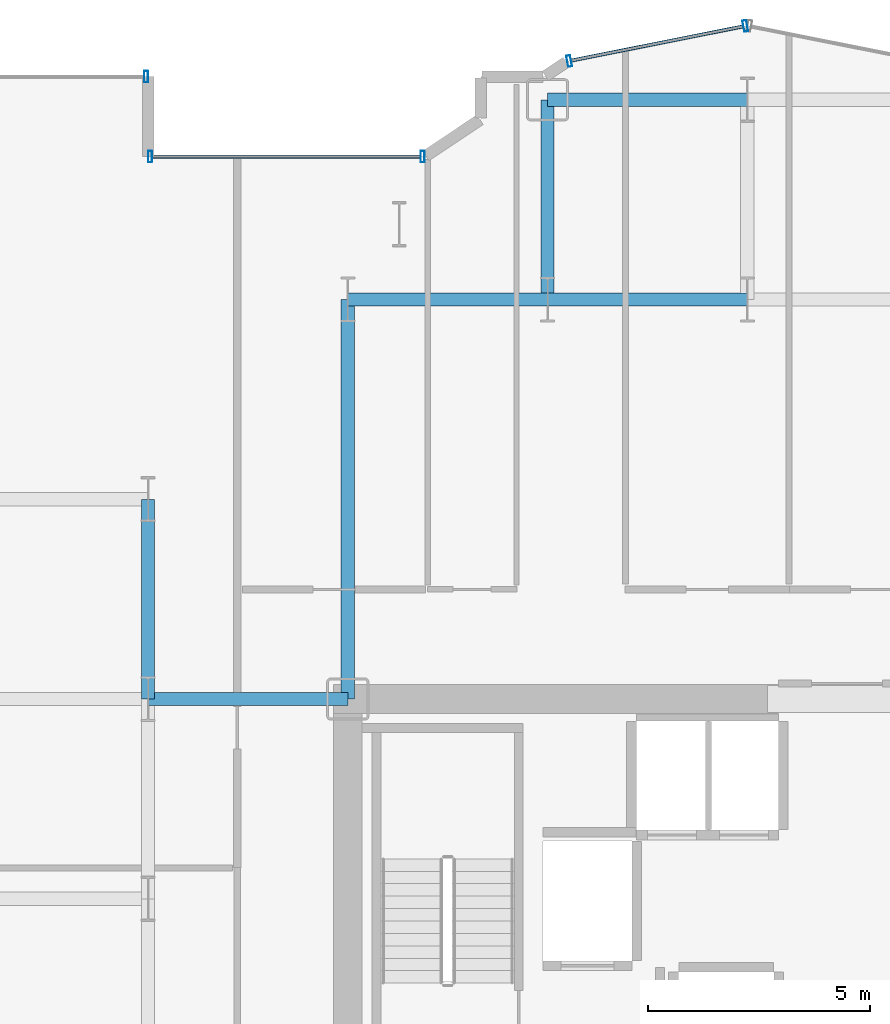
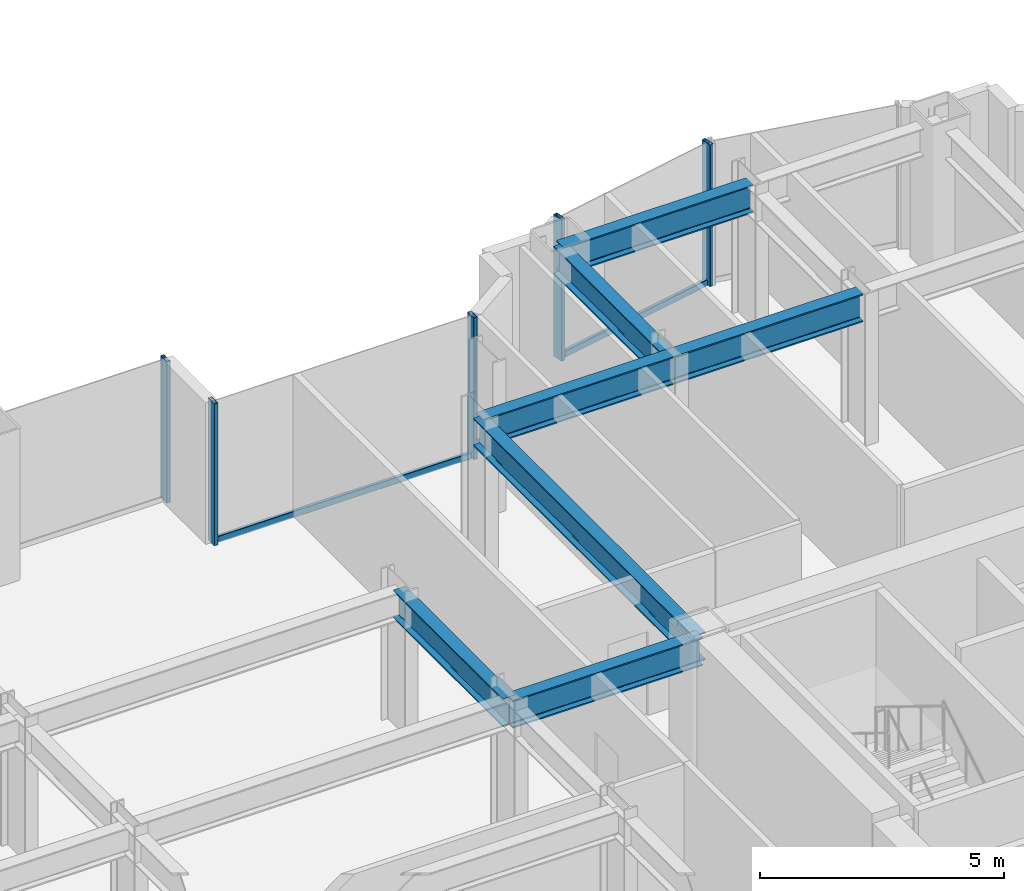
# One storey, part 10 of 26: 7 beams, 7 members, 3 elements without a shape of their own.
"""IFC4 building model written with IfcOpenShell, lengths in metres."""

from ifc_helpers import new_model, si_unit, direction, frame, origin, origin_2d, place, context, subcontext, project, spatial, hollow_rectangle, i_section, extrude, source, transform, mapped, material, layer, layer_set, material_profile, profile_set, type_object, element, aggregate, save


model = new_model("IFC4")

# Units and contexts
model_context = context("Model", 3, precision=1e-05, world=origin(), true_north=direction((0.0, 1.0)))
body_context = subcontext(model_context, "Body", "Model", "MODEL_VIEW")
ifc_project = project(units=[si_unit("LENGTHUNIT", "METRE"), si_unit("AREAUNIT", "SQUARE_METRE"), si_unit("VOLUMEUNIT", "CUBIC_METRE"), si_unit("PLANEANGLEUNIT", "RADIAN"), si_unit("MASSUNIT", "GRAM", prefix="KILO")], contexts=[model_context])

# Site, building, storey
site_placement = place(None, origin())
site = spatial("IfcSite", under=ifc_project, at=site_placement, CompositionType="ELEMENT")
building_placement = place(site_placement, origin())
building = spatial("IfcBuilding", under=site, at=building_placement, Name="Nefas-Gora Pilgrimage Tower", CompositionType="ELEMENT")
storey_placement = place(building_placement, frame((0.0, 0.0, 40.60009765625)))
storey = spatial("IfcBuildingStorey", under=building, at=storey_placement, Name="L08", CompositionType="ELEMENT", Elevation=40.60009765625)

# Beams
ifc_material_1 = material(Name="Steel S355", Category="steel")
ifc_material_profile_1 = material_profile(ifc_material_1, i_section(OverallWidth=0.300048828125, OverallDepth=0.699951171875, WebThickness=0.01708984375, FlangeThickness=0.031982421875, FilletRadius=0.027099609375, at=origin_2d()), Name="HEB 700")
ifc_profile_set_1 = profile_set([ifc_material_profile_1], Name="Steel S355")
beam_type = type_object("IfcBeamType", Name="BM-GIR-HEB700", PredefinedType="BEAM", material=ifc_profile_set_1)
shared_shape_1 = source(origin(), body_context, "Body", "SweptSolid", [
    extrude(i_section(OverallWidth=0.300048828125, OverallDepth=0.699951171875, WebThickness=0.01708984375, FlangeThickness=0.031982421875, FilletRadius=0.027099609375, at=origin_2d()), origin(), (0.0, 0.0, 1.0), 9.0),
])
beam_placement = place(storey_placement, frame((-11.25, 9.0, 3.199951171875), z_axis=(0.0, 1.0, 0.0), x_axis=(-1.0, 0.0, 0.0)))
element("IfcBeam", 1, at=beam_placement, inside=storey, type_object=beam_type, Name="L08 G-02 beam", PredefinedType="BEAM", context=body_context, shape_type="MappedRepresentation", body=[
    mapped(shared_shape_1, transform((0.0, 0.0, 0.0), x_axis=(1.0, 0.0, 0.0), y_axis=(0.0, 1.0, 0.0), z_axis=(0.0, 0.0, 1.0), scale=1.0)),
])
shared_shape_2 = source(origin(), body_context, "Body", "SweptSolid", [
    extrude(i_section(OverallWidth=0.300048828125, OverallDepth=0.699951171875, WebThickness=0.01708984375, FlangeThickness=0.031982421875, FilletRadius=0.027099609375, at=origin_2d()), origin(), (0.0, 0.0, 1.0), 4.5),
])
for number, where, z_axis, x_axis, name in (
    (2, (-15.75, 9.0, 3.199951171875), (0.0, 1.0, 0.0), (-1.0, 0.0, 0.0), "L08 G-02 beam"),
    (3, (-15.75, 9.0, 3.199951171875), (1.0, 0.0, 0.0), (0.0, 1.0, 0.0), "L08 G-02 beam"),
    (4, (-11.25, 18.0, 3.199951171875), (1.0, 0.0, 0.0), (0.0, 1.0, 0.0), "L08 G-02 beam"),
    (5, (-6.75, 18.0, 3.199951171875), (0.0, 1.0, 0.0), (-1.0, 0.0, 0.0), "L08 G-02 beam"),
    (6, (-6.75, 18.0, 3.199951171875), (1.0, 0.0, 0.0), (0.0, 1.0, 0.0), "L08 G-02 beam"),
    (7, (-6.75, 22.5, 3.199951171875), (1.0, 0.0, 0.0), (0.0, 1.0, 0.0), "L08 G-02 beam"),
):
    element("IfcBeam", number, at=place(storey_placement, frame(where, z_axis=z_axis, x_axis=x_axis)), inside=storey, type_object=beam_type, Name=name, PredefinedType="BEAM", context=body_context, shape_type="MappedRepresentation", body=[
        mapped(shared_shape_2, transform((0.0, 0.0, 0.0), x_axis=(1.0, 0.0, 0.0), y_axis=(0.0, 1.0, 0.0), z_axis=(0.0, 0.0, 1.0), scale=1.0)),
    ])

# Curtain wall, member
ifc_material_2 = material(Name="Dark ceramic-fritted solar-control aluminium-glass curtain wall", Category="aluminium")
ifc_layer_1 = layer(ifc_material_2, 0.219970703125)
ifc_layer_set_1 = layer_set([ifc_layer_1], Name="Dark ceramic-fritted solar-control aluminium-glass curtain wall")
curtain_wall_type_1 = type_object("IfcCurtainWallType", Name="CW-SYS-5", PredefinedType="NOTDEFINED", material=ifc_layer_set_1)
curtain_wall_1_placement = place(storey_placement, origin())
curtain_wall_1 = element("IfcCurtainWall", 8, at=curtain_wall_1_placement, inside=storey, type_object=curtain_wall_type_1, Name="L08 Unitised Curtain Wall CW5", PredefinedType="NOTDEFINED")
ifc_material_3 = material(Name="Anodised architectural aluminium", Category="aluminium")
ifc_material_profile_2 = material_profile(ifc_material_3, hollow_rectangle(XDim=0.080078125, YDim=0.159912109375, WallThickness=0.00439453125, InnerFilletRadius=0.00439453125, OuterFilletRadius=0.009033203125, at=origin_2d()), Name="ALU TRANSOM 80x160")
ifc_profile_set_2 = profile_set([ifc_material_profile_2], Name="Anodised architectural aluminium")
member_type_1 = type_object("IfcMemberType", Name="CWM-TRN-5", PredefinedType="USERDEFINED", material=ifc_profile_set_2)
shared_shape_3 = source(origin(), body_context, "Body", "SweptSolid", [
    extrude(hollow_rectangle(XDim=0.080078125, YDim=0.159912109375, WallThickness=0.00439453125, InnerFilletRadius=0.00439453125, OuterFilletRadius=0.009033203125, at=origin_2d()), origin(), (0.0, 0.0, 1.0), 6.052001953125),
])
member_1_placement = place(storey_placement, frame((-9.60791015625, 21.219970703125, 0.0498046875), z_axis=(-1.0, 0.0, 0.0), x_axis=(0.0, -1.0, 0.0)))
member_1 = element("IfcMember", 9, at=member_1_placement, type_object=member_type_1, Name="CW5 Spandrel Transom", ObjectType="TRANSOM", PredefinedType="USERDEFINED", context=body_context, shape_type="MappedRepresentation", body=[
    mapped(shared_shape_3, transform((0.0, 0.0, 0.0), x_axis=(1.0, 0.0, 0.0), y_axis=(0.0, 1.0, 0.0), z_axis=(0.0, 0.0, 1.0), scale=1.0)),
])

# Curtain wall, members
curtain_wall_2_placement = place(storey_placement, origin())
curtain_wall_2 = element("IfcCurtainWall", 10, at=curtain_wall_2_placement, inside=storey, type_object=curtain_wall_type_1, Name="L08 Unitised Curtain Wall CW5", PredefinedType="NOTDEFINED")
shared_shape_4 = source(origin(), body_context, "Body", "SweptSolid", [
    extrude(hollow_rectangle(XDim=0.080078125, YDim=0.159912109375, WallThickness=0.00439453125, InnerFilletRadius=0.00439453125, OuterFilletRadius=0.009033203125, at=origin_2d()), origin(), (0.0, 0.0, 1.0), 3.95654296875),
])
member_2_placement = place(storey_placement, frame((-2.33837890625, 24.15478515625, 0.0498046875), z_axis=(-0.980781880918, -0.195107411605, 0.0), x_axis=(0.195107411605, -0.980781880918, 0.0)))
member_2 = element("IfcMember", 11, at=member_2_placement, type_object=member_type_1, Name="CW5 Spandrel Transom", ObjectType="TRANSOM", PredefinedType="USERDEFINED", context=body_context, shape_type="MappedRepresentation", body=[
    mapped(shared_shape_4, transform((0.0, 0.0, 0.0), x_axis=(1.0, 0.0, 0.0), y_axis=(0.0, 1.0, 0.0), z_axis=(0.0, 0.0, 1.0), scale=1.0)),
])
ifc_material_profile_3 = material_profile(ifc_material_3, hollow_rectangle(XDim=0.090087890625, YDim=0.260009765625, WallThickness=0.006103515625, InnerFilletRadius=0.006103515625, OuterFilletRadius=0.011962890625, at=origin_2d()), Name="ALU MULLION 90x260")
ifc_profile_set_3 = profile_set([ifc_material_profile_3], Name="Anodised architectural aluminium")
member_type_2 = type_object("IfcMemberType", Name="CWM-MUL-5", PredefinedType="MULLION", material=ifc_profile_set_3)
shared_shape_5 = source(origin(), body_context, "Body", "SweptSolid", [
    extrude(hollow_rectangle(XDim=0.090087890625, YDim=0.260009765625, WallThickness=0.006103515625, InnerFilletRadius=0.006103515625, OuterFilletRadius=0.011962890625, at=origin_2d()), origin(), (0.0, 0.0, 1.0), 3.5498046875),
])
member_3_placement = place(storey_placement, frame((-2.294189453125, 24.16357421875, 0.0), z_axis=(0.0, 0.0, 1.0), x_axis=(-0.980782896852, -0.195102304554, 0.0)))
member_3 = element("IfcMember", 12, at=member_3_placement, type_object=member_type_2, Name="CW5 Mullion 1", PredefinedType="MULLION", context=body_context, shape_type="MappedRepresentation", body=[
    mapped(shared_shape_5, transform((0.0, 0.0, 0.0), x_axis=(1.0, 0.0, 0.0), y_axis=(0.0, 1.0, 0.0), z_axis=(0.0, 0.0, 1.0), scale=1.0)),
])
member_4_placement = place(storey_placement, frame((-6.26318359375, 23.3740234375, 0.0), z_axis=(0.0, 0.0, 1.0), x_axis=(-0.980782896852, -0.195102304554, 0.0)))
member_4 = element("IfcMember", 13, at=member_4_placement, type_object=member_type_2, Name="CW5 Mullion 2", PredefinedType="MULLION", context=body_context, shape_type="MappedRepresentation", body=[
    mapped(shared_shape_5, transform((0.0, 0.0, 0.0), x_axis=(1.0, 0.0, 0.0), y_axis=(0.0, 1.0, 0.0), z_axis=(0.0, 0.0, 1.0), scale=1.0)),
])
aggregate(curtain_wall_2, [member_3, member_4, member_2])

# Member
member_5_placement = place(storey_placement, frame((-9.56298828125, 21.219970703125, 0.0), z_axis=(0.0, 0.0, 1.0), x_axis=(-1.0, 0.0, 0.0)))
member_5 = element("IfcMember", 14, at=member_5_placement, type_object=member_type_2, Name="CW5 Mullion 1", PredefinedType="MULLION", context=body_context, shape_type="MappedRepresentation", body=[
    mapped(shared_shape_5, transform((0.0, 0.0, 0.0), x_axis=(1.0, 0.0, 0.0), y_axis=(0.0, 1.0, 0.0), z_axis=(0.0, 0.0, 1.0), scale=1.0)),
])

member_6_placement = place(storey_placement, frame((-15.705078125, 21.219970703125, 0.0), z_axis=(0.0, 0.0, 1.0), x_axis=(-1.0, 0.0, 0.0)))
member_6 = element("IfcMember", 15, at=member_6_placement, type_object=member_type_2, Name="CW5 Mullion 2", PredefinedType="MULLION", context=body_context, shape_type="MappedRepresentation", body=[
    mapped(shared_shape_5, transform((0.0, 0.0, 0.0), x_axis=(1.0, 0.0, 0.0), y_axis=(0.0, 1.0, 0.0), z_axis=(0.0, 0.0, 1.0), scale=1.0)),
])

aggregate(curtain_wall_1, [member_5, member_6, member_1])

# Curtain wall, member
ifc_layer_2 = layer(ifc_material_2, 0.219970703125)
ifc_layer_set_2 = layer_set([ifc_layer_2], Name="Dark ceramic-fritted solar-control aluminium-glass curtain wall")
curtain_wall_type_2 = type_object("IfcCurtainWallType", Name="CW-SYS-2", PredefinedType="NOTDEFINED", material=ifc_layer_set_2)
curtain_wall_3_placement = place(storey_placement, origin())
curtain_wall_3 = element("IfcCurtainWall", 16, at=curtain_wall_3_placement, inside=storey, type_object=curtain_wall_type_2, Name="L08 Unitised Curtain Wall CW2", PredefinedType="NOTDEFINED")
ifc_material_profile_4 = material_profile(ifc_material_3, hollow_rectangle(XDim=0.090087890625, YDim=0.260009765625, WallThickness=0.006103515625, InnerFilletRadius=0.006103515625, OuterFilletRadius=0.011962890625, at=origin_2d()), Name="ALU MULLION 90x260")
ifc_profile_set_4 = profile_set([ifc_material_profile_4], Name="Anodised architectural aluminium")
member_type_3 = type_object("IfcMemberType", Name="CWM-MUL-2", PredefinedType="MULLION", material=ifc_profile_set_4)
shared_shape_6 = source(origin(), body_context, "Body", "SweptSolid", [
    extrude(hollow_rectangle(XDim=0.090087890625, YDim=0.260009765625, WallThickness=0.006103515625, InnerFilletRadius=0.006103515625, OuterFilletRadius=0.011962890625, at=origin_2d()), origin(), (0.0, 0.0, 1.0), 3.5498046875),
])
member_7_placement = place(storey_placement, frame((-15.794921875, 23.02001953125, 0.0), z_axis=(0.0, 0.0, 1.0), x_axis=(-1.0, 0.0, 0.0)))
member_7 = element("IfcMember", 17, at=member_7_placement, type_object=member_type_3, Name="CW2 Mullion 1", PredefinedType="MULLION", context=body_context, shape_type="MappedRepresentation", body=[
    mapped(shared_shape_6, transform((0.0, 0.0, 0.0), x_axis=(1.0, 0.0, 0.0), y_axis=(0.0, 1.0, 0.0), z_axis=(0.0, 0.0, 1.0), scale=1.0)),
])
aggregate(curtain_wall_3, [member_7])

save(model, "model.ifc")
